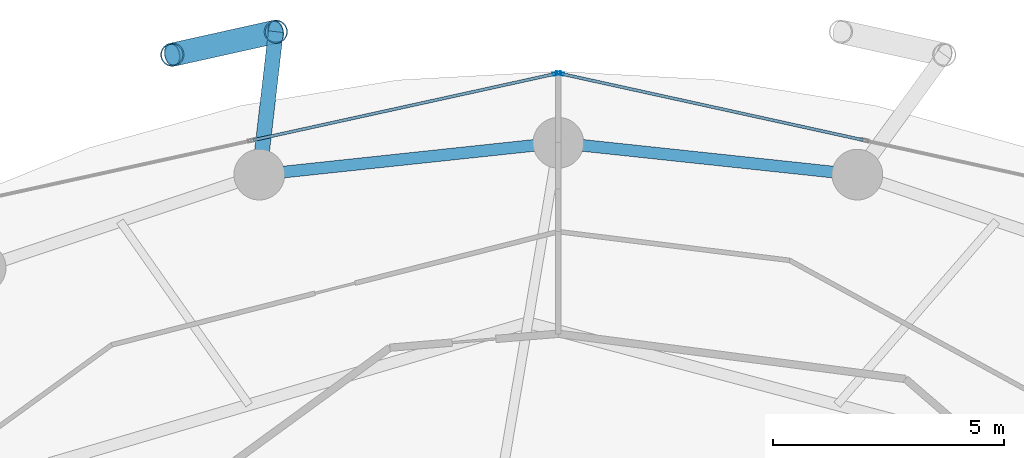
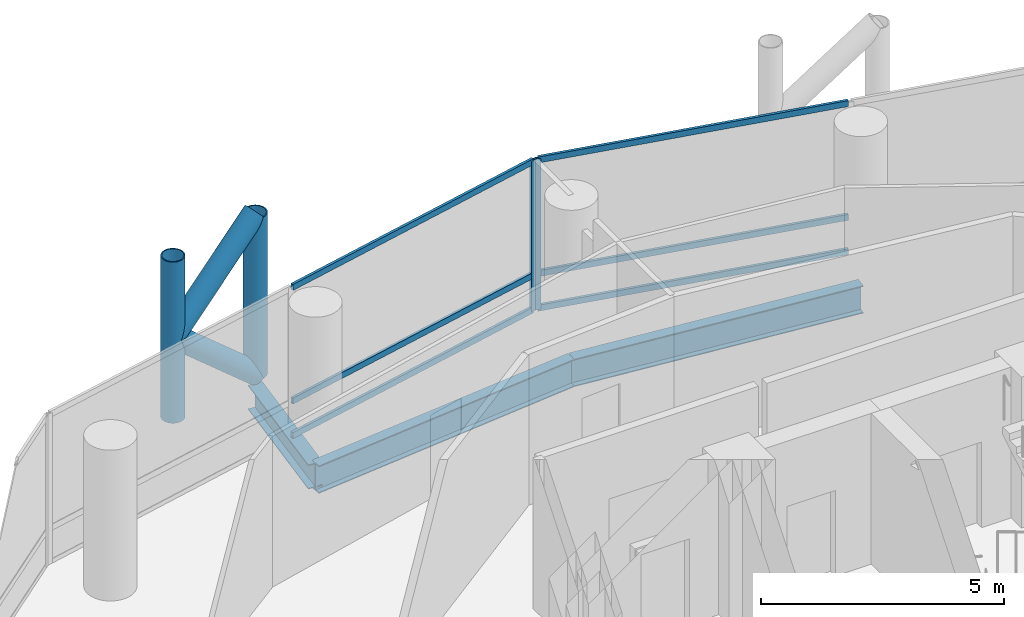
# One storey, part 16 of 25: 12 members, 3 beams, 2 elements without a shape of their own.
"""IFC4 building model written with IfcOpenShell, lengths in metres."""

from ifc_helpers import new_model, si_unit, direction, frame, origin, origin_2d, place, context, subcontext, project, spatial, hollow_rectangle, hollow_circle, i_section, extrude, material, layer, layer_set, material_profile, profile_set, type_object, element, aggregate, save


model = new_model("IFC4")

# Units and contexts
model_context = context("Model", 3, precision=1e-05, world=origin(), true_north=direction((0.0, 1.0)))
body_context = subcontext(model_context, "Body", "Model", "MODEL_VIEW")
ifc_project = project(units=[si_unit("LENGTHUNIT", "METRE"), si_unit("AREAUNIT", "SQUARE_METRE"), si_unit("VOLUMEUNIT", "CUBIC_METRE"), si_unit("PLANEANGLEUNIT", "RADIAN"), si_unit("MASSUNIT", "GRAM", prefix="KILO")], contexts=[model_context])

# Site, building, storey
site_placement = place(None, origin())
site = spatial("IfcSite", under=ifc_project, at=site_placement, CompositionType="ELEMENT")
building_placement = place(site_placement, origin())
building = spatial("IfcBuilding", under=site, at=building_placement, Name="Nuhasar Tower", CompositionType="ELEMENT")
storey_placement = place(building_placement, frame((0.0, 0.0, 45.300048828125)))
storey = spatial("IfcBuildingStorey", under=building, at=storey_placement, Name="L10", CompositionType="ELEMENT", Elevation=45.300048828125)

# Beams
ifc_material_1 = material(Name="Steel S355", Category="steel")
ifc_material_profile_1 = material_profile(ifc_material_1, i_section(OverallWidth=0.256103515625, OverallDepth=0.693115234375, WebThickness=0.014404296875, FlangeThickness=0.023681640625, at=origin_2d()), Name="W27X114")
ifc_profile_set_1 = profile_set([ifc_material_profile_1], Name="Steel S355")
beam_type_1 = type_object("IfcBeamType", Name="BM-RING-W27X114", PredefinedType="SPANDREL", material=ifc_profile_set_1)
for number, where, z_axis, x_axis, name in (
    (1, (45.48291015625, 46.360107421875, -0.60595703125), (-0.994384554061, 0.105827022286, 0.0), (-0.105827022286, -0.994384554061, 0.0), "L10 Perimeter Ring Spandrel 06"),
    (2, (39.0, 47.050048828125, -0.60595703125), (-0.994384554061, -0.105827022286, 0.0), (0.105827022286, -0.994384554061, 0.0), "L10 Perimeter Ring Spandrel 07"),
):
    element("IfcBeam", number, at=place(storey_placement, frame(where, z_axis=z_axis, x_axis=x_axis)), inside=storey, type_object=beam_type_1, Name=name, PredefinedType="SPANDREL", context=body_context, shape_type="SweptSolid", body=[
        extrude(i_section(OverallWidth=0.256103515625, OverallDepth=0.693115234375, WebThickness=0.014404296875, FlangeThickness=0.023681640625, at=origin_2d()), origin(), (0.0, 0.0, 1.0), 6.51953125),
    ])
ifc_material_profile_2 = material_profile(ifc_material_1, i_section(OverallWidth=0.323974609375, OverallDepth=0.611083984375, WebThickness=0.0126953125, FlangeThickness=0.01904296875, at=origin_2d()), Name="W24X104")
ifc_profile_set_2 = profile_set([ifc_material_profile_2], Name="Steel S355")
beam_type_2 = type_object("IfcBeamType", Name="BM-TIE-W24X104", PredefinedType="BEAM", material=ifc_profile_set_2)
beam_placement = place(storey_placement, frame((32.51708984375, 46.360107421875, -0.566162109375), z_axis=(0.115042934281, 0.993360520291, 0.0), x_axis=(-0.993360520291, 0.115042934281, 0.0)))
element("IfcBeam", 3, at=beam_placement, inside=storey, type_object=beam_type_2, Name="L10 Exoskeleton Node Tie Beam 04", PredefinedType="BEAM", context=body_context, shape_type="SweptSolid", body=[
    extrude(i_section(OverallWidth=0.323974609375, OverallDepth=0.611083984375, WebThickness=0.0126953125, FlangeThickness=0.01904296875, at=origin_2d()), origin(), (0.0, 0.0, 1.0), 3.11962890625),
])

# Curtain wall, member
ifc_material_2 = material(Name="Aluminium 6063-T6", Category="aluminium")
ifc_layer = layer(ifc_material_2, 0.199951171875)
ifc_layer_set = layer_set([ifc_layer], Name="Aluminium 6063-T6")
curtain_wall_type = type_object("IfcCurtainWallType", Name="CW-Z1-OFF", PredefinedType="NOTDEFINED", material=ifc_layer_set)
curtain_wall_1_placement = place(storey_placement, origin())
curtain_wall_1 = element("IfcCurtainWall", 4, at=curtain_wall_1_placement, inside=storey, type_object=curtain_wall_type, Name="L10 Unitised Curtain Wall 03", PredefinedType="NOTDEFINED")
ifc_material_profile_3 = material_profile(ifc_material_2, hollow_rectangle(XDim=0.06494140625, YDim=0.179931640625, WallThickness=0.0048828125, at=origin_2d()), Name="CWM-2")
ifc_profile_set_3 = profile_set([ifc_material_profile_3], Name="Aluminium 6063-T6")
member_type_1 = type_object("IfcMemberType", Name="CW-MUL-S2", PredefinedType="MULLION", material=ifc_profile_set_3)
member_1_placement = place(storey_placement, frame((39.03173828125, 48.552978515625, 0.0), z_axis=(0.0, 0.0, 1.0), x_axis=(-0.214398737637, -0.976746221544, 0.0)))
member_1 = element("IfcMember", 5, at=member_1_placement, type_object=member_type_1, Name="CW-Z1 mullion 3", PredefinedType="MULLION", context=body_context, shape_type="SweptSolid", body=[
    extrude(hollow_rectangle(XDim=0.06494140625, YDim=0.179931640625, WallThickness=0.0048828125, at=origin_2d()), origin(), (0.0, 0.0, 1.0), 3.7900390625),
])

curtain_wall_2_placement = place(storey_placement, origin())
curtain_wall_2 = element("IfcCurtainWall", 6, at=curtain_wall_2_placement, inside=storey, type_object=curtain_wall_type, Name="L10 Unitised Curtain Wall 04", PredefinedType="NOTDEFINED")
member_2_placement = place(storey_placement, frame((38.96826171875, 48.552978515625, 0.0), z_axis=(0.0, 0.0, 1.0), x_axis=(0.214398737637, -0.976746221544, 0.0)))
member_2 = element("IfcMember", 7, at=member_2_placement, type_object=member_type_1, Name="CW-Z1 mullion 1", PredefinedType="MULLION", context=body_context, shape_type="SweptSolid", body=[
    extrude(hollow_rectangle(XDim=0.06494140625, YDim=0.179931640625, WallThickness=0.0048828125, at=origin_2d()), origin(), (0.0, 0.0, 1.0), 3.7900390625),
])

# Member
ifc_material_profile_4 = material_profile(ifc_material_2, hollow_rectangle(XDim=0.06494140625, YDim=0.14990234375, WallThickness=0.00439453125, at=origin_2d()), Name="CWT-2")
ifc_profile_set_4 = profile_set([ifc_material_profile_4], Name="Aluminium 6063-T6")
member_type_2 = type_object("IfcMemberType", Name="CW-TRN-S2", PredefinedType="USERDEFINED", material=ifc_profile_set_4)
member_3_placement = place(storey_placement, frame((45.608154296875, 47.109375, 0.032470703125), z_axis=(-0.976740248595, 0.214425947065, 0.0), x_axis=(-0.214425947065, -0.976740248595, 0.0)))
member_3 = element("IfcMember", 8, at=member_3_placement, type_object=member_type_2, Name="CW-Z1 transom 2.1", ObjectType="TRANSOM", PredefinedType="USERDEFINED", context=body_context, shape_type="SweptSolid", body=[
    extrude(hollow_rectangle(XDim=0.06494140625, YDim=0.14990234375, WallThickness=0.00439453125, at=origin_2d()), origin(), (0.0, 0.0, 1.0), 6.700439453125),
])

member_4_placement = place(storey_placement, frame((45.608154296875, 47.109375, 0.89990234375), z_axis=(-0.976740248595, 0.214425947065, 0.0), x_axis=(-0.214425947065, -0.976740248595, 0.0)))
member_4 = element("IfcMember", 9, at=member_4_placement, type_object=member_type_2, Name="CW-Z1 transom 2.2", ObjectType="TRANSOM", PredefinedType="USERDEFINED", context=body_context, shape_type="SweptSolid", body=[
    extrude(hollow_rectangle(XDim=0.06494140625, YDim=0.14990234375, WallThickness=0.00439453125, at=origin_2d()), origin(), (0.0, 0.0, 1.0), 6.700439453125),
])

member_5_placement = place(storey_placement, frame((45.608154296875, 47.109375, 3.757568359375), z_axis=(-0.976740248595, 0.214425947065, 0.0), x_axis=(-0.214425947065, -0.976740248595, 0.0)))
member_5 = element("IfcMember", 10, at=member_5_placement, type_object=member_type_2, Name="CW-Z1 transom 2.3", ObjectType="TRANSOM", PredefinedType="USERDEFINED", context=body_context, shape_type="SweptSolid", body=[
    extrude(hollow_rectangle(XDim=0.06494140625, YDim=0.14990234375, WallThickness=0.00439453125, at=origin_2d()), origin(), (0.0, 0.0, 1.0), 6.700439453125),
])

aggregate(curtain_wall_1, [member_1, member_3, member_4, member_5])

member_6_placement = place(storey_placement, frame((38.9365234375, 48.546142578125, 0.032470703125), z_axis=(-0.976740248595, -0.214425947065, 0.0), x_axis=(0.214425947065, -0.976740248595, 0.0)))
member_6 = element("IfcMember", 11, at=member_6_placement, type_object=member_type_2, Name="CW-Z1 transom 1.1", ObjectType="TRANSOM", PredefinedType="USERDEFINED", context=body_context, shape_type="SweptSolid", body=[
    extrude(hollow_rectangle(XDim=0.06494140625, YDim=0.14990234375, WallThickness=0.00439453125, at=origin_2d()), origin(), (0.0, 0.0, 1.0), 6.700439453125),
])

member_7_placement = place(storey_placement, frame((38.9365234375, 48.546142578125, 0.89990234375), z_axis=(-0.976740248595, -0.214425947065, 0.0), x_axis=(0.214425947065, -0.976740248595, 0.0)))
member_7 = element("IfcMember", 12, at=member_7_placement, type_object=member_type_2, Name="CW-Z1 transom 1.2", ObjectType="TRANSOM", PredefinedType="USERDEFINED", context=body_context, shape_type="SweptSolid", body=[
    extrude(hollow_rectangle(XDim=0.06494140625, YDim=0.14990234375, WallThickness=0.00439453125, at=origin_2d()), origin(), (0.0, 0.0, 1.0), 6.700439453125),
])

member_8_placement = place(storey_placement, frame((38.9365234375, 48.546142578125, 3.757568359375), z_axis=(-0.976740248595, -0.214425947065, 0.0), x_axis=(0.214425947065, -0.976740248595, 0.0)))
member_8 = element("IfcMember", 13, at=member_8_placement, type_object=member_type_2, Name="CW-Z1 transom 1.3", ObjectType="TRANSOM", PredefinedType="USERDEFINED", context=body_context, shape_type="SweptSolid", body=[
    extrude(hollow_rectangle(XDim=0.06494140625, YDim=0.14990234375, WallThickness=0.00439453125, at=origin_2d()), origin(), (0.0, 0.0, 1.0), 6.700439453125),
])

aggregate(curtain_wall_2, [member_2, member_6, member_7, member_8])

# Members
ifc_material_3 = material(Name="Steel S460", Category="steel")
ifc_material_profile_5 = material_profile(ifc_material_3, hollow_circle(Radius=0.25390625, WallThickness=0.025390625, at=origin_2d()), Name="HSS508X25.4")
ifc_profile_set_5 = profile_set([ifc_material_profile_5], Name="Steel S460")
member_type_3 = type_object("IfcMemberType", Name="EXO-BRONZE-508", PredefinedType="BRACE", material=ifc_profile_set_5)
for number, where, z_axis, x_axis, name in (
    (14, (32.8759765625, 49.458984375, 0.0), (0.0, 0.0, 1.0), (1.0, 0.0, 0.0), "L10 Exoskeleton Chord Column EC-04A"),
    (15, (30.6298828125, 48.9599609375, 0.0), (0.0, 0.0, 1.0), (1.0, 0.0, 0.0), "L10 Exoskeleton Chord Column EC-04B"),
):
    element("IfcMember", number, at=place(storey_placement, frame(where, z_axis=z_axis, x_axis=x_axis)), inside=storey, type_object=member_type_3, Name=name, PredefinedType="BRACE", context=body_context, shape_type="SweptSolid", body=[
        extrude(hollow_circle(Radius=0.25390625, WallThickness=0.025390625, at=origin_2d()), origin(), (0.0, 0.0, 1.0), 4.050048828125),
    ])
member_9_placement = place(storey_placement, frame((32.8759765625, 49.458984375, 0.0), z_axis=(-0.732821471909, -0.162813813976, 0.660654487828), x_axis=(0.216885517571, -0.97619704582, 0.0)))
element("IfcMember", 16, at=member_9_placement, inside=storey, type_object=member_type_3, Name="L10 Bronze Diagrid Brace W1-04", PredefinedType="BRACE", context=body_context, shape_type="SweptSolid", body=[
    extrude(hollow_circle(Radius=0.25390625, WallThickness=0.025390625, at=origin_2d()), origin(), (0.0, 0.0, 1.0), 3.06494140625),
])
member_10_placement = place(storey_placement, frame((30.6298828125, 48.9599609375, 2.02490234375), z_axis=(0.732782908552, 0.162805246204, 0.660699372439), x_axis=(-0.216885517571, 0.97619704582, 0.0)))
element("IfcMember", 17, at=member_10_placement, inside=storey, type_object=member_type_3, Name="L10 Bronze Diagrid Brace W2-04", PredefinedType="BRACE", context=body_context, shape_type="SweptSolid", body=[
    extrude(hollow_circle(Radius=0.25390625, WallThickness=0.025390625, at=origin_2d()), origin(), (0.0, 0.0, 1.0), 3.065185546875),
])

save(model, "model.ifc")
